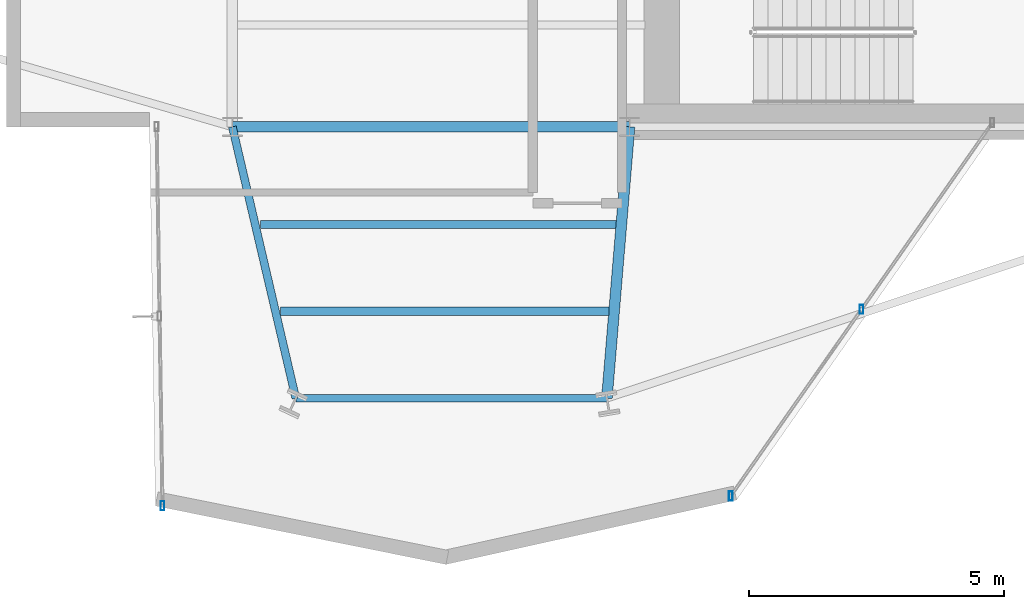
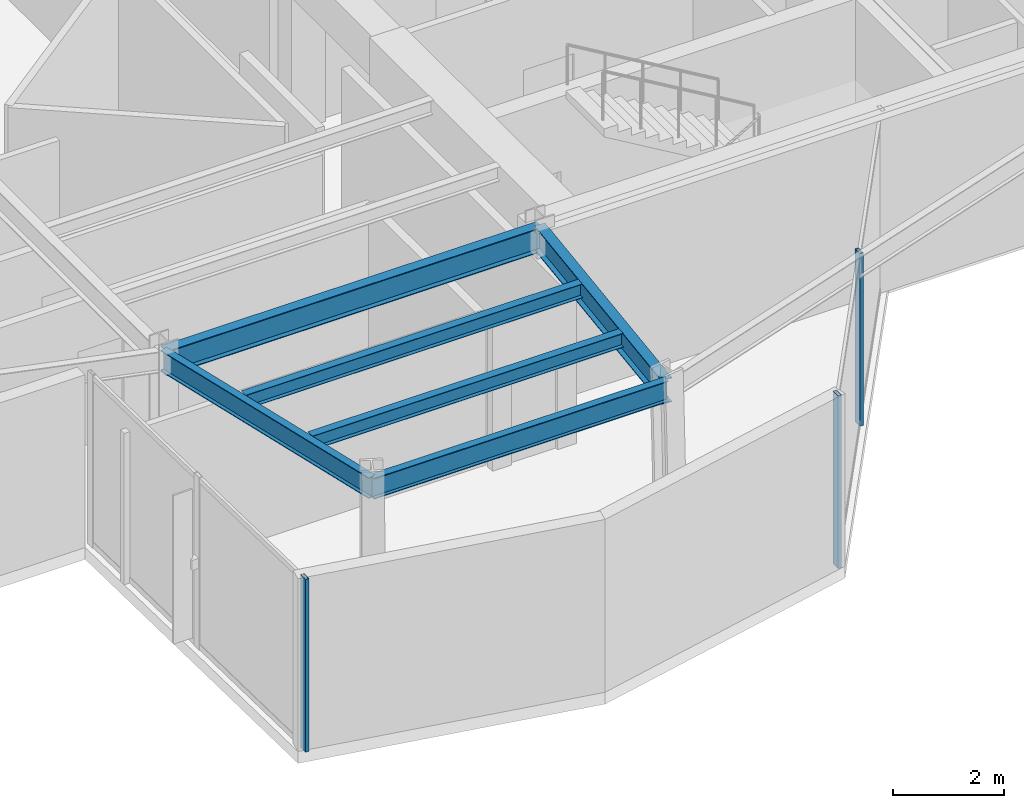
# One storey, part 7 of 23: 6 beams, 3 members, 2 elements without a shape of their own.
"""IFC4 building model written with IfcOpenShell, lengths in metres."""

from ifc_helpers import new_model, si_unit, direction, frame, origin, origin_2d, place, context, subcontext, project, spatial, hollow_rectangle, i_section, extrude, material, layer, layer_set, material_profile, profile_set, type_object, element, aggregate, save


model = new_model("IFC4")

# Units and contexts
model_context = context("Model", 3, precision=1e-05, world=origin(), true_north=direction((0.0, 1.0)))
body_context = subcontext(model_context, "Body", "Model", "MODEL_VIEW")
ifc_project = project(units=[si_unit("LENGTHUNIT", "METRE"), si_unit("AREAUNIT", "SQUARE_METRE"), si_unit("VOLUMEUNIT", "CUBIC_METRE"), si_unit("PLANEANGLEUNIT", "RADIAN"), si_unit("MASSUNIT", "GRAM", prefix="KILO")], contexts=[model_context])

# Site, building, storey
site_placement = place(None, origin())
site = spatial("IfcSite", under=ifc_project, at=site_placement, CompositionType="ELEMENT")
building_placement = place(site_placement, origin())
building = spatial("IfcBuilding", under=site, at=building_placement, Name="Veymaron Broadcast Tower", CompositionType="ELEMENT")
storey_placement = place(building_placement, frame((0.0, 0.0, 224.25)))
storey = spatial("IfcBuildingStorey", under=building, at=storey_placement, Name="L52", CompositionType="ELEMENT", Elevation=224.25)

# Beams
ifc_material_1 = material(Name="Structural steel ASTM A992 Gr 50", Category="steel")
ifc_material_profile_1 = material_profile(ifc_material_1, i_section(OverallWidth=0.2099609375, OverallDepth=0.537109375, WebThickness=0.010986328125, FlangeThickness=0.017333984375, at=origin_2d()), Name="W530X101")
ifc_profile_set_1 = profile_set([ifc_material_profile_1], Name="Structural steel ASTM A992 Gr 50")
beam_type_1 = type_object("IfcBeamType", Name="BM-FG3", PredefinedType="BEAM", material=ifc_profile_set_1)
beam_1_placement = place(storey_placement, frame((31.199951171875, 16.0, 3.521484375), z_axis=(1.0, 0.0, 0.0), x_axis=(0.0, 1.0, 0.0)))
element("IfcBeam", 1, at=beam_1_placement, inside=storey, type_object=beam_type_1, Name="L52 primary structural floor girder", PredefinedType="BEAM", context=body_context, shape_type="SweptSolid", body=[
    extrude(i_section(OverallWidth=0.2099609375, OverallDepth=0.537109375, WebThickness=0.010986328125, FlangeThickness=0.017333984375, at=origin_2d()), origin(), (0.0, 0.0, 1.0), 7.800048828125),
])
beam_2_placement = place(storey_placement, frame((39.0, 16.0, 3.521484375), z_axis=(-0.083211691167, -0.996531893345, 0.0), x_axis=(0.996531893345, -0.083211691167, 0.0)))
element("IfcBeam", 2, at=beam_2_placement, inside=storey, type_object=beam_type_1, Name="L52 primary structural floor girder", PredefinedType="BEAM", context=body_context, shape_type="SweptSolid", body=[
    extrude(i_section(OverallWidth=0.2099609375, OverallDepth=0.537109375, WebThickness=0.010986328125, FlangeThickness=0.017333984375, at=origin_2d()), origin(), (0.0, 0.0, 1.0), 5.3486328125),
])
ifc_material_profile_2 = material_profile(ifc_material_1, i_section(OverallWidth=0.1650390625, OverallDepth=0.31005859375, WebThickness=0.005859375, FlangeThickness=0.009765625, at=origin_2d()), Name="W310X39")
ifc_profile_set_2 = profile_set([ifc_material_profile_2], Name="Structural steel ASTM A992 Gr 50")
beam_type_2 = type_object("IfcBeamType", Name="BM-JS3", PredefinedType="JOIST", material=ifc_profile_set_2)
beam_3_placement = place(storey_placement, frame((31.74853515625, 14.081298828125, 3.635009765625), z_axis=(1.0, 0.0, 0.0), x_axis=(0.0, 1.0, 0.0)))
element("IfcBeam", 3, at=beam_3_placement, inside=storey, type_object=beam_type_2, Name="L52 Arm-C secondary joist 1", PredefinedType="JOIST", context=body_context, shape_type="SweptSolid", body=[
    extrude(i_section(OverallWidth=0.1650390625, OverallDepth=0.31005859375, WebThickness=0.005859375, FlangeThickness=0.009765625, at=origin_2d()), origin(), (0.0, 0.0, 1.0), 6.9912109375),
])
beam_4_placement = place(storey_placement, frame((32.147216796875, 12.37548828125, 3.635009765625), z_axis=(1.0, 0.0, 0.0), x_axis=(0.0, 1.0, 0.0)))
element("IfcBeam", 4, at=beam_4_placement, inside=storey, type_object=beam_type_2, Name="L52 Arm-C secondary joist 2", PredefinedType="JOIST", context=body_context, shape_type="SweptSolid", body=[
    extrude(i_section(OverallWidth=0.1650390625, OverallDepth=0.31005859375, WebThickness=0.005859375, FlangeThickness=0.009765625, at=origin_2d()), origin(), (0.0, 0.0, 1.0), 6.4501953125),
])
ifc_material_profile_3 = material_profile(ifc_material_1, i_section(OverallWidth=0.154052734375, OverallDepth=0.458984375, WebThickness=0.009033203125, FlangeThickness=0.015380859375, at=origin_2d()), Name="W460X68")
ifc_profile_set_3 = profile_set([ifc_material_profile_3], Name="Structural steel ASTM A992 Gr 50")
beam_type_3 = type_object("IfcBeamType", Name="BM-SP2", PredefinedType="SPANDREL", material=ifc_profile_set_3)
beam_5_placement = place(storey_placement, frame((31.199951171875, 16.0, 3.560546875), z_axis=(0.227646942329, -0.973743739209, 0.0), x_axis=(0.973743739209, 0.227646942329, 0.0)))
element("IfcBeam", 5, at=beam_5_placement, inside=storey, type_object=beam_type_3, Name="L52 primary structural floor girder", PredefinedType="SPANDREL", context=body_context, shape_type="SweptSolid", body=[
    extrude(i_section(OverallWidth=0.154052734375, OverallDepth=0.458984375, WebThickness=0.009033203125, FlangeThickness=0.015380859375, at=origin_2d()), origin(), (0.0, 0.0, 1.0), 5.473876953125),
])
beam_6_placement = place(storey_placement, frame((32.446044921875, 10.669921875, 3.560546875), z_axis=(1.0, 0.0, 0.0), x_axis=(0.0, 1.0, 0.0)))
element("IfcBeam", 6, at=beam_6_placement, inside=storey, type_object=beam_type_3, Name="L52 primary structural floor girder", PredefinedType="SPANDREL", context=body_context, shape_type="SweptSolid", body=[
    extrude(i_section(OverallWidth=0.154052734375, OverallDepth=0.458984375, WebThickness=0.009033203125, FlangeThickness=0.015380859375, at=origin_2d()), origin(), (0.0, 0.0, 1.0), 6.10888671875),
])

# Curtain wall, member
ifc_material_2 = material(Name="Anodised aluminium AA 6063-T6 and laminated low-E dark glass", Category="aluminium")
ifc_layer = layer(ifc_material_2, 0.179931640625)
ifc_layer_set = layer_set([ifc_layer], Name="Anodised aluminium AA 6063-T6 and laminated low-E dark glass")
curtain_wall_type = type_object("IfcCurtainWallType", Name="CW-SYS-05", PredefinedType="NOTDEFINED", material=ifc_layer_set)
curtain_wall_1_placement = place(storey_placement, origin())
curtain_wall_1 = element("IfcCurtainWall", 7, at=curtain_wall_1_placement, inside=storey, type_object=curtain_wall_type, Name="L52 dark-glass curtain wall CW-L52-E17-1", PredefinedType="NOTDEFINED")
ifc_material_3 = material(Name="Anodised aluminium AA 6063-T6", Category="aluminium")
ifc_material_profile_4 = material_profile(ifc_material_3, hollow_rectangle(XDim=0.074951171875, YDim=0.179931640625, WallThickness=0.0048828125, at=origin_2d()), Name="AL180X75X5")
ifc_profile_set_4 = profile_set([ifc_material_profile_4], Name="Anodised aluminium AA 6063-T6")
member_type = type_object("IfcMemberType", Name="CW-MUL-02", PredefinedType="MULLION", material=ifc_profile_set_4)
member_1_placement = place(storey_placement, frame((29.82763671875, 8.55712890625, 0.0), z_axis=(0.0, 0.0, 1.0), x_axis=(1.0, 0.0, 0.0)))
member_1 = element("IfcMember", 8, at=member_1_placement, type_object=member_type, Name="CW-L52-E17-1 mullion 2", PredefinedType="MULLION", context=body_context, shape_type="SweptSolid", body=[
    extrude(hollow_rectangle(XDim=0.074951171875, YDim=0.179931640625, WallThickness=0.0048828125, at=origin_2d()), origin(), (0.0, 0.0, 1.0), 3.7900390625),
])
aggregate(curtain_wall_1, [member_1])

# Curtain wall, members
curtain_wall_2_placement = place(storey_placement, origin())
curtain_wall_2 = element("IfcCurtainWall", 9, at=curtain_wall_2_placement, inside=storey, type_object=curtain_wall_type, Name="L52 dark-glass curtain wall CW-L52-E20-1", PredefinedType="NOTDEFINED")
member_2_placement = place(storey_placement, frame((40.98779296875, 8.750244140625, 0.0), z_axis=(0.0, 0.0, 1.0), x_axis=(1.0, 0.0, 0.0)))
member_2 = element("IfcMember", 10, at=member_2_placement, type_object=member_type, Name="CW-L52-E20-1 mullion 0", PredefinedType="MULLION", context=body_context, shape_type="SweptSolid", body=[
    extrude(hollow_rectangle(XDim=0.074951171875, YDim=0.179931640625, WallThickness=0.0048828125, at=origin_2d()), origin(), (0.0, 0.0, 1.0), 3.7900390625),
])
member_3_placement = place(storey_placement, frame((43.55615234375, 12.415283203125, 0.0), z_axis=(0.0, 0.0, 1.0), x_axis=(1.0, 0.0, 0.0)))
member_3 = element("IfcMember", 11, at=member_3_placement, type_object=member_type, Name="CW-L52-E20-1 mullion 1", PredefinedType="MULLION", context=body_context, shape_type="SweptSolid", body=[
    extrude(hollow_rectangle(XDim=0.074951171875, YDim=0.179931640625, WallThickness=0.0048828125, at=origin_2d()), origin(), (0.0, 0.0, 1.0), 3.7900390625),
])
aggregate(curtain_wall_2, [member_2, member_3])

save(model, "model.ifc")
